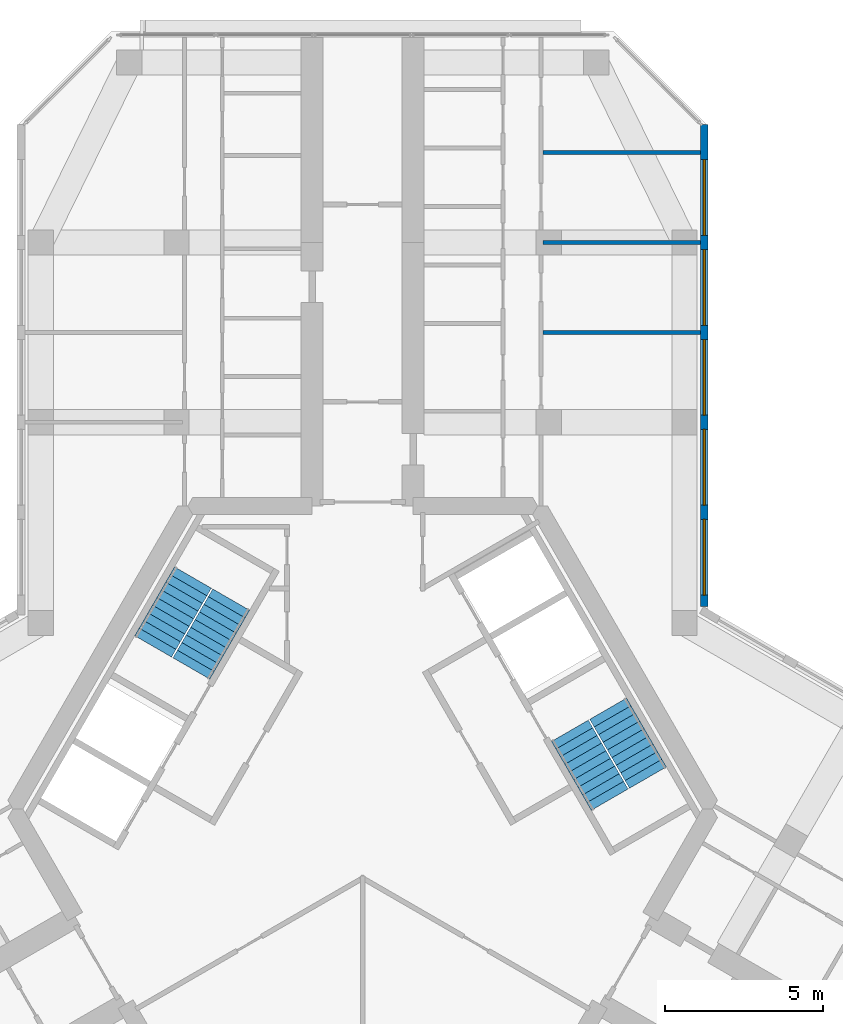
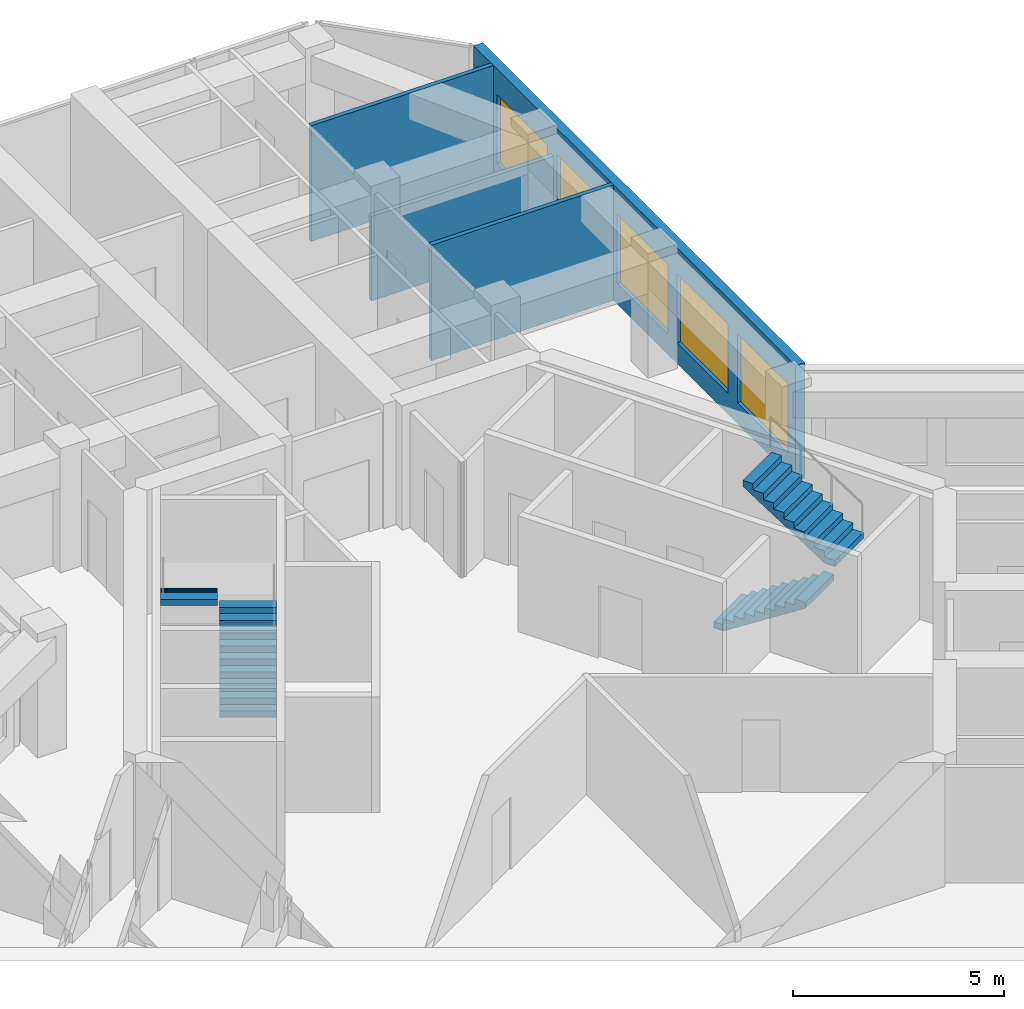
# One storey, part 13 of 14: 5 windows, 4 stair flights, 4 walls, 5 openings, 2 elements without a shape of their own.
"""IFC4 building model written with IfcOpenShell, lengths in metres."""

from ifc_helpers import new_model, si_unit, direction, frame, frame_2d, origin, place, context, subcontext, project, spatial, polyline, rectangle, outline, extrude, material, layer, layer_set, type_object, element, fill, aggregate, save


model = new_model("IFC4")

# Units and contexts
model_context = context("Model", 3, precision=1e-05, world=origin(), true_north=direction((0.0, 1.0)))
body_context = subcontext(model_context, "Body", "Model", "MODEL_VIEW")
ifc_project = project(units=[si_unit("LENGTHUNIT", "METRE"), si_unit("AREAUNIT", "SQUARE_METRE"), si_unit("VOLUMEUNIT", "CUBIC_METRE"), si_unit("PLANEANGLEUNIT", "RADIAN"), si_unit("MASSUNIT", "GRAM", prefix="KILO")], contexts=[model_context])

# Site, building, storey
site_placement = place(None, origin())
site = spatial("IfcSite", under=ifc_project, at=site_placement, CompositionType="ELEMENT")
building_placement = place(site_placement, origin())
building = spatial("IfcBuilding", under=site, at=building_placement, Name="Kosmar Iwan School Tower", CompositionType="ELEMENT")
storey_placement = place(building_placement, frame((0.0, 0.0, 271.0)))
storey = spatial("IfcBuildingStorey", under=building, at=storey_placement, Name="L68", CompositionType="ELEMENT", Elevation=271.0)

# Walls
ifc_material_1 = material(Name="Gypsum board on steel studs", Category="steel")
ifc_layer_1 = layer(ifc_material_1, 0.1201171875)
ifc_layer_set_1 = layer_set([ifc_layer_1], Name="Dwelling partition 120")
wall_type_1 = type_object("IfcWallType", Name="Dwelling partition 120", PredefinedType="PARTITIONING", material=ifc_layer_set_1)
wall_1_placement = place(storey_placement, frame((5.7099609375, 15.10009765625, 0.0), z_axis=(0.0, 0.0, 1.0), x_axis=(1.0, 0.0, 0.0)))
element("IfcWall", 1, at=wall_1_placement, inside=storey, type_object=wall_type_1, Name="Partition L68-AR1-X1", PredefinedType="PARTITIONING", context=body_context, shape_type="SweptSolid", body=[
    extrude(rectangle(XDim=4.989990234375, YDim=0.1201171875, at=frame_2d((2.4951171875, 0.0))), origin(), (0.0, 0.0, 1.0), 3.35009765625),
])
wall_2_placement = place(storey_placement, frame((5.7099609375, 17.949951171875, 0.0), z_axis=(0.0, 0.0, 1.0), x_axis=(1.0, 0.0, 0.0)))
element("IfcWall", 2, at=wall_2_placement, inside=storey, type_object=wall_type_1, Name="Partition L68-AR1-X2", PredefinedType="PARTITIONING", context=body_context, shape_type="SweptSolid", body=[
    extrude(rectangle(XDim=4.989990234375, YDim=0.1201171875, at=frame_2d((2.4951171875, 0.0))), origin(), (0.0, 0.0, 1.0), 2.449951171875),
])
wall_3_placement = place(storey_placement, frame((5.7099609375, 20.800048828125, 0.0), z_axis=(0.0, 0.0, 1.0), x_axis=(1.0, 0.0, 0.0)))
element("IfcWall", 3, at=wall_3_placement, inside=storey, type_object=wall_type_1, Name="Partition L68-AR1-X3", PredefinedType="PARTITIONING", context=body_context, shape_type="SweptSolid", body=[
    extrude(rectangle(XDim=4.989990234375, YDim=0.1201171875, at=frame_2d((2.4951171875, 0.0))), origin(), (0.0, 0.0, 1.0), 3.35009765625),
])

# Wall, openings, windows
ifc_material_2 = material(Name="Black aluminium rainscreen on insulated framing", Category="aluminium")
ifc_layer_2 = layer(ifc_material_2, 0.25)
ifc_layer_set_2 = layer_set([ifc_layer_2], Name="External wall rainscreen 250")
wall_type_2 = type_object("IfcWallType", Name="External wall rainscreen 250", PredefinedType="SOLIDWALL", material=ifc_layer_set_2)
wall_4_placement = place(storey_placement, frame((10.824951171875, 6.408935546875, 0.0), z_axis=(0.0, 0.0, 1.0), x_axis=(0.0, 1.0, 0.0)))
wall_4 = element("IfcWall", 4, at=wall_4_placement, inside=storey, type_object=wall_type_2, Name="External wall AR L68", PredefinedType="SOLIDWALL", context=body_context, shape_type="SweptSolid", body=[
    extrude(rectangle(XDim=15.2763671875, YDim=0.25, at=frame_2d((7.63818359375, 0.0))), origin(), (0.0, 0.0, 1.0), 3.35009765625),
])
opening_1_placement = place(wall_4_placement, frame((0.365966796875, 0.0, 0.60009765625)))
opening_1 = element("IfcOpeningElement", 5, at=opening_1_placement, cuts=wall_4, Name="Opening W6", PredefinedType="OPENING", context=body_context, shape_type="SweptSolid", body=[
    extrude(rectangle(XDim=2.39990234375, YDim=2.0, at=frame_2d((1.199951171875, 1.0))), frame((0.0, 0.136962890625, 0.0), z_axis=(0.0, -1.0, 0.0), x_axis=(1.0, 0.0, 0.0)), (0.0, 0.0, 1.0), 0.27392578125),
])
opening_2_placement = place(wall_4_placement, frame((3.216064453125, 0.0, 0.60009765625)))
opening_2 = element("IfcOpeningElement", 6, at=opening_2_placement, cuts=wall_4, Name="Opening W6", PredefinedType="OPENING", context=body_context, shape_type="SweptSolid", body=[
    extrude(rectangle(XDim=2.39990234375, YDim=2.0, at=frame_2d((1.199951171875, 1.0))), frame((0.0, 0.136962890625, 0.0), z_axis=(0.0, -1.0, 0.0), x_axis=(1.0, 0.0, 0.0)), (0.0, 0.0, 1.0), 0.27392578125),
])
opening_3_placement = place(wall_4_placement, frame((6.06591796875, 0.0, 0.60009765625)))
opening_3 = element("IfcOpeningElement", 7, at=opening_3_placement, cuts=wall_4, Name="Opening W6", PredefinedType="OPENING", context=body_context, shape_type="SweptSolid", body=[
    extrude(rectangle(XDim=2.39990234375, YDim=2.0, at=frame_2d((1.199951171875, 1.0))), frame((0.0, 0.136962890625, 0.0), z_axis=(0.0, -1.0, 0.0), x_axis=(1.0, 0.0, 0.0)), (0.0, 0.0, 1.0), 0.27392578125),
])
opening_4_placement = place(wall_4_placement, frame((8.916015625, 0.0, 0.60009765625)))
opening_4 = element("IfcOpeningElement", 8, at=opening_4_placement, cuts=wall_4, Name="Opening W6", PredefinedType="OPENING", context=body_context, shape_type="SweptSolid", body=[
    extrude(rectangle(XDim=2.39990234375, YDim=2.0, at=frame_2d((1.199951171875, 1.0))), frame((0.0, 0.136962890625, 0.0), z_axis=(0.0, -1.0, 0.0), x_axis=(1.0, 0.0, 0.0)), (0.0, 0.0, 1.0), 0.27392578125),
])
opening_5_placement = place(wall_4_placement, frame((11.76611328125, 0.0, 0.60009765625)))
opening_5 = element("IfcOpeningElement", 9, at=opening_5_placement, cuts=wall_4, Name="Opening W6", PredefinedType="OPENING", context=body_context, shape_type="SweptSolid", body=[
    extrude(rectangle(XDim=2.39990234375, YDim=2.0, at=frame_2d((1.199951171875, 1.0))), frame((0.0, 0.136962890625, 0.0), z_axis=(0.0, -1.0, 0.0), x_axis=(1.0, 0.0, 0.0)), (0.0, 0.0, 1.0), 0.27392578125),
])
ifc_material_3 = material(Name="Black aluminium frame with dark triple glazing", Category="aluminium")
window_type = type_object("IfcWindowType", Name="Window 2400x2000", PartitioningType="SINGLE_PANEL", PredefinedType="WINDOW", material=ifc_material_3)
window_1_placement = place(opening_1_placement, origin())
window_1 = element("IfcWindow", 10, at=window_1_placement, inside=storey, type_object=window_type, Name="Window AR L68 -1", OverallHeight=2.0, OverallWidth=2.39990234375, PartitioningType="SINGLE_PANEL", PredefinedType="WINDOW", context=body_context, shape_type="SweptSolid", body=[
    extrude(rectangle(XDim=2.39990234375, YDim=2.0, at=frame_2d((1.199951171875, 1.0))), frame((0.0, 0.030029296875, 0.0), z_axis=(0.0, -1.0, 0.0), x_axis=(1.0, 0.0, 0.0)), (0.0, 0.0, 1.0), 0.06005859375),
])
fill(opening_1, window_1)
window_2_placement = place(opening_2_placement, origin())
window_2 = element("IfcWindow", 11, at=window_2_placement, inside=storey, type_object=window_type, Name="Window AR L68 0", OverallHeight=2.0, OverallWidth=2.39990234375, PartitioningType="SINGLE_PANEL", PredefinedType="WINDOW", context=body_context, shape_type="SweptSolid", body=[
    extrude(rectangle(XDim=2.39990234375, YDim=2.0, at=frame_2d((1.199951171875, 1.0))), frame((0.0, 0.030029296875, 0.0), z_axis=(0.0, -1.0, 0.0), x_axis=(1.0, 0.0, 0.0)), (0.0, 0.0, 1.0), 0.06005859375),
])
fill(opening_2, window_2)
window_3_placement = place(opening_3_placement, origin())
window_3 = element("IfcWindow", 12, at=window_3_placement, inside=storey, type_object=window_type, Name="Window AR L68 1", OverallHeight=2.0, OverallWidth=2.39990234375, PartitioningType="SINGLE_PANEL", PredefinedType="WINDOW", context=body_context, shape_type="SweptSolid", body=[
    extrude(rectangle(XDim=2.39990234375, YDim=2.0, at=frame_2d((1.199951171875, 1.0))), frame((0.0, 0.030029296875, 0.0), z_axis=(0.0, -1.0, 0.0), x_axis=(1.0, 0.0, 0.0)), (0.0, 0.0, 1.0), 0.06005859375),
])
fill(opening_3, window_3)
window_4_placement = place(opening_4_placement, origin())
window_4 = element("IfcWindow", 13, at=window_4_placement, inside=storey, type_object=window_type, Name="Window AR L68 2", OverallHeight=2.0, OverallWidth=2.39990234375, PartitioningType="SINGLE_PANEL", PredefinedType="WINDOW", context=body_context, shape_type="SweptSolid", body=[
    extrude(rectangle(XDim=2.39990234375, YDim=2.0, at=frame_2d((1.199951171875, 1.0))), frame((0.0, 0.030029296875, 0.0), z_axis=(0.0, -1.0, 0.0), x_axis=(1.0, 0.0, 0.0)), (0.0, 0.0, 1.0), 0.06005859375),
])
fill(opening_4, window_4)
window_5_placement = place(opening_5_placement, origin())
window_5 = element("IfcWindow", 14, at=window_5_placement, inside=storey, type_object=window_type, Name="Window AR L68 3", OverallHeight=2.0, OverallWidth=2.39990234375, PartitioningType="SINGLE_PANEL", PredefinedType="WINDOW", context=body_context, shape_type="SweptSolid", body=[
    extrude(rectangle(XDim=2.39990234375, YDim=2.0, at=frame_2d((1.199951171875, 1.0))), frame((0.0, 0.030029296875, 0.0), z_axis=(0.0, -1.0, 0.0), x_axis=(1.0, 0.0, 0.0)), (0.0, 0.0, 1.0), 0.06005859375),
])
fill(opening_5, window_5)

# Stair, stair flights
ifc_material_4 = material(Name="Concrete C35/45", Category="concrete")
stair_type = type_object("IfcStairType", Name="Core stair 2750", PredefinedType="HALF_TURN_STAIR", material=ifc_material_4)
stair_1_placement = place(storey_placement, origin())
stair_1 = element("IfcStair", 15, at=stair_1_placement, inside=storey, type_object=stair_type, Name="Stair ST2 L68", PredefinedType="HALF_TURN_STAIR")
ifc_material_5 = material(Name="Concrete C35/45", Category="concrete")
stair_flight_type = type_object("IfcStairFlightType", Name="Stair flight 1350", PredefinedType="STRAIGHT", material=ifc_material_5)
stair_flight_1_placement = place(storey_placement, frame((-5.42724609375, 4.44970703125, 0.0), z_axis=(0.0, 0.0, 1.0), x_axis=(0.5, 0.866025403784, 0.0)))
stair_flight_1 = element("IfcStairFlight", 16, at=stair_flight_1_placement, type_object=stair_flight_type, Name="ST2 flight 1", NumberOfRisers=10, NumberOfTreads=9, PredefinedType="STRAIGHT", RiserHeight=0.18, TreadLength=0.28, context=body_context, shape_type="SweptSolid", body=[
    extrude(outline(polyline([(0.0, 0.0), (0.0, 0.179931640625), (0.280029296875, 0.179931640625), (0.280029296875, 0.360107421875), (0.56005859375, 0.360107421875), (0.56005859375, 0.5400390625), (0.840087890625, 0.5400390625), (0.840087890625, 0.719970703125), (1.1201171875, 0.719970703125), (1.1201171875, 0.89990234375), (1.39990234375, 0.89990234375), (1.39990234375, 1.080078125), (1.679931640625, 1.080078125), (1.679931640625, 1.260009765625), (1.9599609375, 1.260009765625), (1.9599609375, 1.43994140625), (2.239990234375, 1.43994140625), (2.239990234375, 1.6201171875), (2.52001953125, 1.6201171875), (2.52001953125, 1.800048828125), (2.52001953125, 1.44189453125), (0.277099609375, 0.0), (0.0, 0.0)])), frame((0.0, 0.675048828125, 0.0), z_axis=(0.0, -1.0, 0.0), x_axis=(1.0, 0.0, 0.0)), (0.0, 0.0, 1.0), 1.35009765625),
])
stair_flight_2_placement = place(storey_placement, frame((-5.379638671875, 7.33203125, 1.800048828125), z_axis=(0.0, 0.0, 1.0), x_axis=(-0.5, -0.866025403784, 0.0)))
stair_flight_2 = element("IfcStairFlight", 17, at=stair_flight_2_placement, type_object=stair_flight_type, Name="ST2 flight 2", NumberOfRisers=10, NumberOfTreads=9, PredefinedType="STRAIGHT", RiserHeight=0.18, TreadLength=0.28, context=body_context, shape_type="SweptSolid", body=[
    extrude(outline(polyline([(0.0, 0.0), (0.0, 0.179931640625), (0.280029296875, 0.179931640625), (0.280029296875, 0.360107421875), (0.56005859375, 0.360107421875), (0.56005859375, 0.5400390625), (0.840087890625, 0.5400390625), (0.840087890625, 0.719970703125), (1.1201171875, 0.719970703125), (1.1201171875, 0.89990234375), (1.39990234375, 0.89990234375), (1.39990234375, 1.080078125), (1.679931640625, 1.080078125), (1.679931640625, 1.260009765625), (1.9599609375, 1.260009765625), (1.9599609375, 1.43994140625), (2.239990234375, 1.43994140625), (2.239990234375, 1.6201171875), (2.52001953125, 1.6201171875), (2.52001953125, 1.800048828125), (2.52001953125, 1.44189453125), (0.277099609375, 0.0), (0.0, 0.0)])), frame((0.0, 0.675048828125, 0.0), z_axis=(0.0, -1.0, 0.0), x_axis=(1.0, 0.0, 0.0)), (0.0, 0.0, 1.0), 1.35009765625),
])
aggregate(stair_1, [stair_flight_1, stair_flight_2])

stair_2_placement = place(storey_placement, origin())
stair_2 = element("IfcStair", 18, at=stair_2_placement, inside=storey, type_object=stair_type, Name="Stair ST1 L68", PredefinedType="HALF_TURN_STAIR")
stair_flight_3_placement = place(storey_placement, frame((6.567138671875, 2.475341796875, 0.0), z_axis=(0.0, 0.0, 1.0), x_axis=(0.5, -0.866025403784, 0.0)))
stair_flight_3 = element("IfcStairFlight", 19, at=stair_flight_3_placement, type_object=stair_flight_type, Name="ST1 flight 1", NumberOfRisers=10, NumberOfTreads=9, PredefinedType="STRAIGHT", RiserHeight=0.18, TreadLength=0.28, context=body_context, shape_type="SweptSolid", body=[
    extrude(outline(polyline([(0.0, 0.0), (0.0, 0.179931640625), (0.280029296875, 0.179931640625), (0.280029296875, 0.360107421875), (0.56005859375, 0.360107421875), (0.56005859375, 0.5400390625), (0.840087890625, 0.5400390625), (0.840087890625, 0.719970703125), (1.1201171875, 0.719970703125), (1.1201171875, 0.89990234375), (1.39990234375, 0.89990234375), (1.39990234375, 1.080078125), (1.679931640625, 1.080078125), (1.679931640625, 1.260009765625), (1.9599609375, 1.260009765625), (1.9599609375, 1.43994140625), (2.239990234375, 1.43994140625), (2.239990234375, 1.6201171875), (2.52001953125, 1.6201171875), (2.52001953125, 1.800048828125), (2.52001953125, 1.44189453125), (0.277099609375, 0.0), (0.0, 0.0)])), frame((0.0, 0.675048828125, 0.0), z_axis=(0.0, -1.0, 0.0), x_axis=(1.0, 0.0, 0.0)), (0.0, 0.0, 1.0), 1.35009765625),
])
stair_flight_4_placement = place(storey_placement, frame((9.03955078125, 0.992919921875, 1.800048828125), z_axis=(0.0, 0.0, 1.0), x_axis=(-0.5, 0.866025403784, 0.0)))
stair_flight_4 = element("IfcStairFlight", 20, at=stair_flight_4_placement, type_object=stair_flight_type, Name="ST1 flight 2", NumberOfRisers=10, NumberOfTreads=9, PredefinedType="STRAIGHT", RiserHeight=0.18, TreadLength=0.28, context=body_context, shape_type="SweptSolid", body=[
    extrude(outline(polyline([(0.0, 0.0), (0.0, 0.179931640625), (0.280029296875, 0.179931640625), (0.280029296875, 0.360107421875), (0.56005859375, 0.360107421875), (0.56005859375, 0.5400390625), (0.840087890625, 0.5400390625), (0.840087890625, 0.719970703125), (1.1201171875, 0.719970703125), (1.1201171875, 0.89990234375), (1.39990234375, 0.89990234375), (1.39990234375, 1.080078125), (1.679931640625, 1.080078125), (1.679931640625, 1.260009765625), (1.9599609375, 1.260009765625), (1.9599609375, 1.43994140625), (2.239990234375, 1.43994140625), (2.239990234375, 1.6201171875), (2.52001953125, 1.6201171875), (2.52001953125, 1.800048828125), (2.52001953125, 1.44189453125), (0.277099609375, 0.0), (0.0, 0.0)])), frame((0.0, 0.675048828125, 0.0), z_axis=(0.0, -1.0, 0.0), x_axis=(1.0, 0.0, 0.0)), (0.0, 0.0, 1.0), 1.35009765625),
])
aggregate(stair_2, [stair_flight_3, stair_flight_4])

save(model, "model.ifc")
